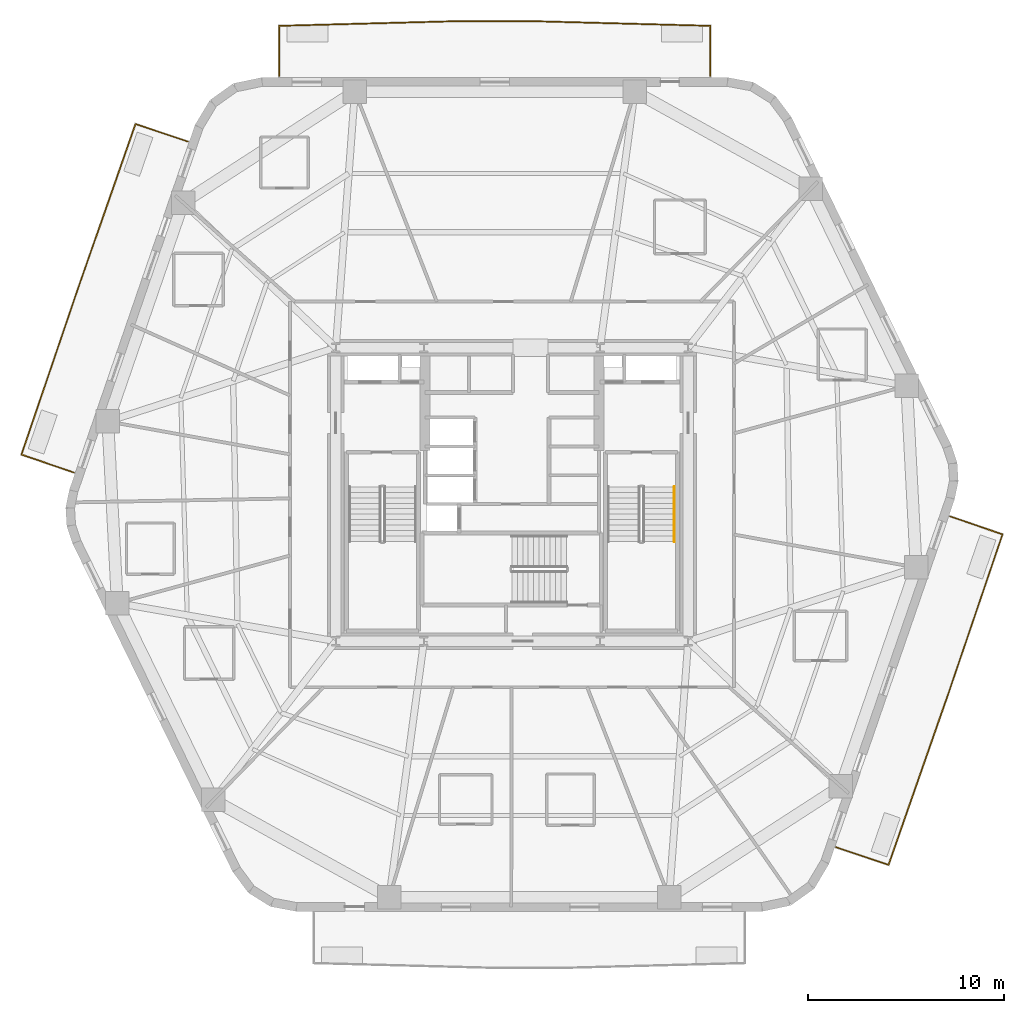
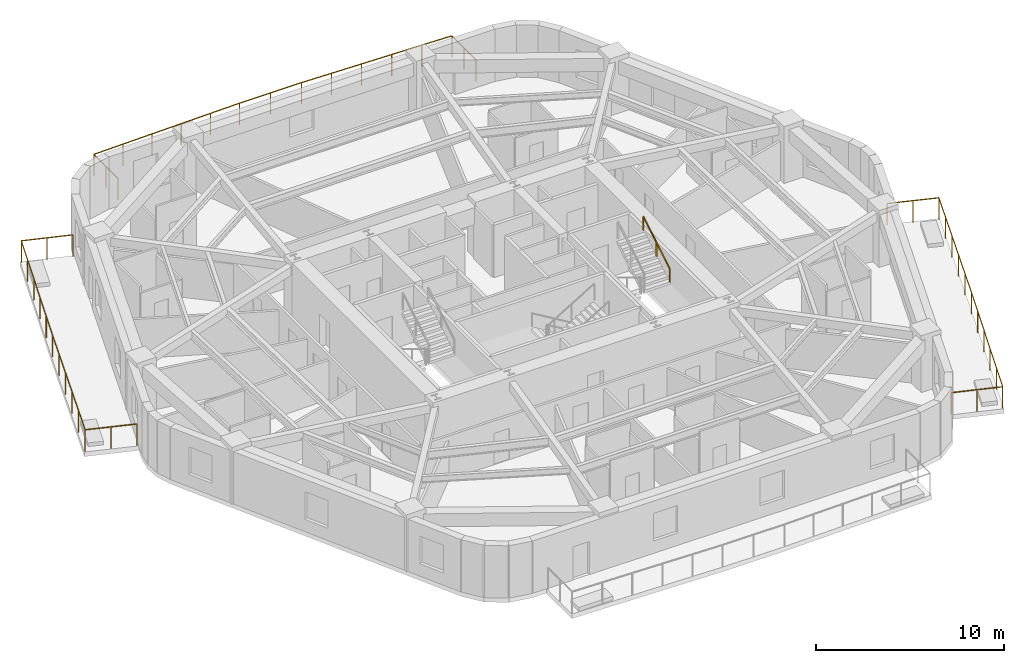
# One storey, part 8 of 8: 4 railings.
"""IFC4 building model written with IfcOpenShell, lengths in metres."""

from ifc_helpers import new_model, si_unit, direction, frame, origin, origin_2d, place, context, subcontext, project, spatial, rectangle, extrude, material, layer, layer_set, type_object, element, save


model = new_model("IFC4")

# Units and contexts
model_context = context("Model", 3, precision=1e-05, world=origin(), true_north=direction((0.0, 1.0)))
body_context = subcontext(model_context, "Body", "Model", "MODEL_VIEW")
ifc_project = project(units=[si_unit("LENGTHUNIT", "METRE"), si_unit("AREAUNIT", "SQUARE_METRE"), si_unit("VOLUMEUNIT", "CUBIC_METRE"), si_unit("PLANEANGLEUNIT", "RADIAN"), si_unit("MASSUNIT", "GRAM", prefix="KILO")], contexts=[model_context])

# Site, building, storey
site_placement = place(None, origin())
site = spatial("IfcSite", under=ifc_project, at=site_placement, CompositionType="ELEMENT")
building_placement = place(site_placement, origin())
building = spatial("IfcBuilding", under=site, at=building_placement, Name="Kilnhurst Terrace Hotel", CompositionType="ELEMENT")
storey_placement = place(building_placement, frame((0.0, 0.0, 106.199951171875)))
storey = spatial("IfcBuildingStorey", under=building, at=storey_placement, Name="L25", CompositionType="ELEMENT", Elevation=106.199951171875)

# Railings
ifc_material_1 = material(Name="Laminated SentryGlas and Stainless Steel AISI 316L Balustrade", Category="steel")
ifc_layer_1 = layer(ifc_material_1, 0.070068359375, Name="Laminated SentryGlas and Stainless Steel AISI 316L Balustrade")
ifc_layer_set_1 = layer_set([ifc_layer_1], Name="Laminated SentryGlas and Stainless Steel AISI 316L Balustrade")
railing_type_1 = type_object("IfcRailingType", Name="RLG-BAL-1420", PredefinedType="BALUSTRADE", material=ifc_layer_set_1)
railing_1_placement = place(storey_placement, frame((22.394287109375, -1.123779296875, 0.0)))
element("IfcRailing", 1, at=railing_1_placement, inside=storey, type_object=railing_type_1, Name="L25 Exterior Terrace Guardrail BAL-L1B.1", PredefinedType="BALUSTRADE", context=body_context, shape_type="SweptSolid", body=[
    extrude(rectangle(XDim=0.048095703125, YDim=0.048095703125, at=origin_2d()), frame((0.0, 0.0, 1.39599609375), z_axis=(0.945999088216, -0.324169284625, 0.0), x_axis=(0.324169284625, 0.945999088216, 0.0)), (0.0, 0.0, 1.0), 2.818115234375),
    extrude(rectangle(XDim=0.048095703125, YDim=0.048095703125, at=origin_2d()), frame((2.666015625, -0.91357421875, 1.39599609375), z_axis=(-0.322236749626, -0.946659113509, 0.0), x_axis=(0.946659113509, -0.322236749626, 0.0)), (0.0, 0.0, 1.0), 8.94921875),
    extrude(rectangle(XDim=0.048095703125, YDim=0.048095703125, at=origin_2d()), frame((-0.2177734375, -9.385498046875, 1.39599609375), z_axis=(-0.329867270016, -0.94402732173, 0.0), x_axis=(0.94402732173, -0.329867270016, 0.0)), (0.0, 0.0, 1.0), 8.9140625),
    extrude(rectangle(XDim=0.048095703125, YDim=0.048095703125, at=origin_2d()), frame((-3.158203125, -17.800537109375, 1.39599609375), z_axis=(-0.948125796951, 0.317895380834, 0.0), x_axis=(-0.317895380834, -0.948125796951, 0.0)), (0.0, 0.0, 1.0), 2.81005859375),
    extrude(rectangle(XDim=0.0419921875, YDim=0.0419921875, at=origin_2d()), origin(), (0.0, 0.0, 1.0), 1.371826171875),
    extrude(rectangle(XDim=0.0419921875, YDim=0.0419921875, at=origin_2d()), frame((1.3330078125, -0.456787109375, 0.0)), (0.0, 0.0, 1.0), 1.371826171875),
    extrude(rectangle(XDim=0.0419921875, YDim=0.0419921875, at=origin_2d()), frame((2.666015625, -0.91357421875, 0.0)), (0.0, 0.0, 1.0), 1.371826171875),
    extrude(rectangle(XDim=0.0419921875, YDim=0.0419921875, at=origin_2d()), frame((2.08935546875, -2.60791015625, 0.0)), (0.0, 0.0, 1.0), 1.371826171875),
    extrude(rectangle(XDim=0.0419921875, YDim=0.0419921875, at=origin_2d()), frame((1.512451171875, -4.30224609375, 0.0)), (0.0, 0.0, 1.0), 1.371826171875),
    extrude(rectangle(XDim=0.0419921875, YDim=0.0419921875, at=origin_2d()), frame((0.935791015625, -5.996826171875, 0.0)), (0.0, 0.0, 1.0), 1.371826171875),
    extrude(rectangle(XDim=0.0419921875, YDim=0.0419921875, at=origin_2d()), frame((0.35888671875, -7.691162109375, 0.0)), (0.0, 0.0, 1.0), 1.371826171875),
    extrude(rectangle(XDim=0.0419921875, YDim=0.0419921875, at=origin_2d()), frame((-0.2177734375, -9.385498046875, 0.0)), (0.0, 0.0, 1.0), 1.371826171875),
    extrude(rectangle(XDim=0.0419921875, YDim=0.0419921875, at=origin_2d()), frame((-0.805908203125, -11.068603515625, 0.0)), (0.0, 0.0, 1.0), 1.371826171875),
    extrude(rectangle(XDim=0.0419921875, YDim=0.0419921875, at=origin_2d()), frame((-1.39404296875, -12.75146484375, 0.0)), (0.0, 0.0, 1.0), 1.371826171875),
    extrude(rectangle(XDim=0.0419921875, YDim=0.0419921875, at=origin_2d()), frame((-1.98193359375, -14.4345703125, 0.0)), (0.0, 0.0, 1.0), 1.371826171875),
    extrude(rectangle(XDim=0.0419921875, YDim=0.0419921875, at=origin_2d()), frame((-2.570068359375, -16.117431640625, 0.0)), (0.0, 0.0, 1.0), 1.371826171875),
    extrude(rectangle(XDim=0.0419921875, YDim=0.0419921875, at=origin_2d()), frame((-3.158203125, -17.800537109375, 0.0)), (0.0, 0.0, 1.0), 1.371826171875),
    extrude(rectangle(XDim=0.0419921875, YDim=0.0419921875, at=origin_2d()), frame((-4.490234375, -17.35400390625, 0.0)), (0.0, 0.0, 1.0), 1.371826171875),
    extrude(rectangle(XDim=0.0419921875, YDim=0.0419921875, at=origin_2d()), frame((-5.822509765625, -16.9072265625, 0.0)), (0.0, 0.0, 1.0), 1.371826171875),
])
railing_2_placement = place(storey_placement, frame((-11.8837890625, 21.3798828125, 0.0)))
element("IfcRailing", 2, at=railing_2_placement, inside=storey, type_object=railing_type_1, Name="L25 Exterior Terrace Guardrail BAL-L2A.1", PredefinedType="BALUSTRADE", context=body_context, shape_type="SweptSolid", body=[
    extrude(rectangle(XDim=0.048095703125, YDim=0.048095703125, at=origin_2d()), frame((0.0, 0.0, 1.39599609375), z_axis=(0.0, 1.0, 0.0), x_axis=(-1.0, 0.0, 0.0)), (0.0, 0.0, 1.0), 2.561767578125),
    extrude(rectangle(XDim=0.048095703125, YDim=0.048095703125, at=origin_2d()), frame((0.0, 2.561767578125, 1.39599609375), z_axis=(0.999657105501, 0.026185328367, 0.0), x_axis=(-0.026185328367, 0.999657105501, 0.0)), (0.0, 0.0, 1.0), 9.099853515625),
    extrude(rectangle(XDim=0.048095703125, YDim=0.048095703125, at=origin_2d()), frame((9.0966796875, 2.800048828125, 1.39599609375), z_axis=(1.0, 0.0, 0.0), x_axis=(0.0, 1.0, 0.0)), (0.0, 0.0, 1.0), 3.8134765625),
    extrude(rectangle(XDim=0.048095703125, YDim=0.048095703125, at=origin_2d()), frame((12.91015625, 2.800048828125, 1.39599609375), z_axis=(0.999657105501, -0.026185328367, 0.0), x_axis=(0.026185328367, 0.999657105501, 0.0)), (0.0, 0.0, 1.0), 9.099853515625),
    extrude(rectangle(XDim=0.048095703125, YDim=0.048095703125, at=origin_2d()), frame((22.0068359375, 2.561767578125, 1.39599609375), z_axis=(0.0, -1.0, 0.0), x_axis=(1.0, 0.0, 0.0)), (0.0, 0.0, 1.0), 2.561767578125),
    extrude(rectangle(XDim=0.0419921875, YDim=0.0419921875, at=origin_2d()), origin(), (0.0, 0.0, 1.0), 1.371826171875),
    extrude(rectangle(XDim=0.0419921875, YDim=0.0419921875, at=origin_2d()), frame((0.0, 1.28076171875, 0.0)), (0.0, 0.0, 1.0), 1.371826171875),
    extrude(rectangle(XDim=0.0419921875, YDim=0.0419921875, at=origin_2d()), frame((0.0, 2.561767578125, 0.0)), (0.0, 0.0, 1.0), 1.371826171875),
    extrude(rectangle(XDim=0.0419921875, YDim=0.0419921875, at=origin_2d()), frame((1.8193359375, 2.609375, 0.0)), (0.0, 0.0, 1.0), 1.371826171875),
    extrude(rectangle(XDim=0.0419921875, YDim=0.0419921875, at=origin_2d()), frame((3.638671875, 2.656982421875, 0.0)), (0.0, 0.0, 1.0), 1.371826171875),
    extrude(rectangle(XDim=0.0419921875, YDim=0.0419921875, at=origin_2d()), frame((5.4580078125, 2.704833984375, 0.0)), (0.0, 0.0, 1.0), 1.371826171875),
    extrude(rectangle(XDim=0.0419921875, YDim=0.0419921875, at=origin_2d()), frame((7.27734375, 2.75244140625, 0.0)), (0.0, 0.0, 1.0), 1.371826171875),
    extrude(rectangle(XDim=0.0419921875, YDim=0.0419921875, at=origin_2d()), frame((9.0966796875, 2.800048828125, 0.0)), (0.0, 0.0, 1.0), 1.371826171875),
    extrude(rectangle(XDim=0.0419921875, YDim=0.0419921875, at=origin_2d()), frame((11.00341796875, 2.800048828125, 0.0)), (0.0, 0.0, 1.0), 1.371826171875),
    extrude(rectangle(XDim=0.0419921875, YDim=0.0419921875, at=origin_2d()), frame((12.91015625, 2.800048828125, 0.0)), (0.0, 0.0, 1.0), 1.371826171875),
    extrude(rectangle(XDim=0.0419921875, YDim=0.0419921875, at=origin_2d()), frame((14.7294921875, 2.75244140625, 0.0)), (0.0, 0.0, 1.0), 1.371826171875),
    extrude(rectangle(XDim=0.0419921875, YDim=0.0419921875, at=origin_2d()), frame((16.548828125, 2.704833984375, 0.0)), (0.0, 0.0, 1.0), 1.371826171875),
    extrude(rectangle(XDim=0.0419921875, YDim=0.0419921875, at=origin_2d()), frame((18.3681640625, 2.656982421875, 0.0)), (0.0, 0.0, 1.0), 1.371826171875),
    extrude(rectangle(XDim=0.0419921875, YDim=0.0419921875, at=origin_2d()), frame((20.1875, 2.609375, 0.0)), (0.0, 0.0, 1.0), 1.371826171875),
    extrude(rectangle(XDim=0.0419921875, YDim=0.0419921875, at=origin_2d()), frame((22.0068359375, 2.561767578125, 0.0)), (0.0, 0.0, 1.0), 1.371826171875),
    extrude(rectangle(XDim=0.0419921875, YDim=0.0419921875, at=origin_2d()), frame((22.0068359375, 1.28076171875, 0.0)), (0.0, 0.0, 1.0), 1.371826171875),
    extrude(rectangle(XDim=0.0419921875, YDim=0.0419921875, at=origin_2d()), frame((22.0068359375, 0.0, 0.0)), (0.0, 0.0, 1.0), 1.371826171875),
])
railing_3_placement = place(storey_placement, frame((-22.394287109375, 1.123779296875, 0.0)))
element("IfcRailing", 3, at=railing_3_placement, inside=storey, type_object=railing_type_1, Name="L25 Exterior Terrace Guardrail BAL-L2B.1", PredefinedType="BALUSTRADE", context=body_context, shape_type="SweptSolid", body=[
    extrude(rectangle(XDim=0.048095703125, YDim=0.048095703125, at=origin_2d()), frame((0.0, 0.0, 1.39599609375), z_axis=(-0.945999088216, 0.324169284625, 0.0), x_axis=(-0.324169284625, -0.945999088216, 0.0)), (0.0, 0.0, 1.0), 2.818115234375),
    extrude(rectangle(XDim=0.048095703125, YDim=0.048095703125, at=origin_2d()), frame((-2.666015625, 0.91357421875, 1.39599609375), z_axis=(0.322236749626, 0.946659113509, 0.0), x_axis=(-0.946659113509, 0.322236749626, 0.0)), (0.0, 0.0, 1.0), 8.94921875),
    extrude(rectangle(XDim=0.048095703125, YDim=0.048095703125, at=origin_2d()), frame((0.2177734375, 9.385498046875, 1.39599609375), z_axis=(0.329867270016, 0.94402732173, 0.0), x_axis=(-0.94402732173, 0.329867270016, 0.0)), (0.0, 0.0, 1.0), 8.9140625),
    extrude(rectangle(XDim=0.048095703125, YDim=0.048095703125, at=origin_2d()), frame((3.158203125, 17.800537109375, 1.39599609375), z_axis=(0.948125796951, -0.317895380834, 0.0), x_axis=(0.317895380834, 0.948125796951, 0.0)), (0.0, 0.0, 1.0), 2.81005859375),
    extrude(rectangle(XDim=0.0419921875, YDim=0.0419921875, at=origin_2d()), origin(), (0.0, 0.0, 1.0), 1.371826171875),
    extrude(rectangle(XDim=0.0419921875, YDim=0.0419921875, at=origin_2d()), frame((-1.3330078125, 0.456787109375, 0.0)), (0.0, 0.0, 1.0), 1.371826171875),
    extrude(rectangle(XDim=0.0419921875, YDim=0.0419921875, at=origin_2d()), frame((-2.666015625, 0.91357421875, 0.0)), (0.0, 0.0, 1.0), 1.371826171875),
    extrude(rectangle(XDim=0.0419921875, YDim=0.0419921875, at=origin_2d()), frame((-2.08935546875, 2.60791015625, 0.0)), (0.0, 0.0, 1.0), 1.371826171875),
    extrude(rectangle(XDim=0.0419921875, YDim=0.0419921875, at=origin_2d()), frame((-1.512451171875, 4.30224609375, 0.0)), (0.0, 0.0, 1.0), 1.371826171875),
    extrude(rectangle(XDim=0.0419921875, YDim=0.0419921875, at=origin_2d()), frame((-0.935791015625, 5.996826171875, 0.0)), (0.0, 0.0, 1.0), 1.371826171875),
    extrude(rectangle(XDim=0.0419921875, YDim=0.0419921875, at=origin_2d()), frame((-0.35888671875, 7.691162109375, 0.0)), (0.0, 0.0, 1.0), 1.371826171875),
    extrude(rectangle(XDim=0.0419921875, YDim=0.0419921875, at=origin_2d()), frame((0.2177734375, 9.385498046875, 0.0)), (0.0, 0.0, 1.0), 1.371826171875),
    extrude(rectangle(XDim=0.0419921875, YDim=0.0419921875, at=origin_2d()), frame((0.805908203125, 11.068603515625, 0.0)), (0.0, 0.0, 1.0), 1.371826171875),
    extrude(rectangle(XDim=0.0419921875, YDim=0.0419921875, at=origin_2d()), frame((1.39404296875, 12.75146484375, 0.0)), (0.0, 0.0, 1.0), 1.371826171875),
    extrude(rectangle(XDim=0.0419921875, YDim=0.0419921875, at=origin_2d()), frame((1.98193359375, 14.4345703125, 0.0)), (0.0, 0.0, 1.0), 1.371826171875),
    extrude(rectangle(XDim=0.0419921875, YDim=0.0419921875, at=origin_2d()), frame((2.570068359375, 16.117431640625, 0.0)), (0.0, 0.0, 1.0), 1.371826171875),
    extrude(rectangle(XDim=0.0419921875, YDim=0.0419921875, at=origin_2d()), frame((3.158203125, 17.800537109375, 0.0)), (0.0, 0.0, 1.0), 1.371826171875),
    extrude(rectangle(XDim=0.0419921875, YDim=0.0419921875, at=origin_2d()), frame((4.490234375, 17.35400390625, 0.0)), (0.0, 0.0, 1.0), 1.371826171875),
    extrude(rectangle(XDim=0.0419921875, YDim=0.0419921875, at=origin_2d()), frame((5.822509765625, 16.9072265625, 0.0)), (0.0, 0.0, 1.0), 1.371826171875),
])
ifc_material_2 = material(Name="Brushed Stainless Steel AISI 304", Category="steel")
ifc_layer_2 = layer(ifc_material_2, 0.048095703125, Name="Brushed Stainless Steel AISI 304")
ifc_layer_set_2 = layer_set([ifc_layer_2], Name="Brushed Stainless Steel AISI 304")
railing_type_2 = type_object("IfcRailingType", Name="RLG-ST-HRL-900", PredefinedType="HANDRAIL", material=ifc_layer_set_2)
railing_4_placement = place(storey_placement, frame((8.300048828125, -2.409912109375, 2.018310546875)))
element("IfcRailing", 4, at=railing_4_placement, inside=storey, type_object=railing_type_2, Name="L25 ST-2 stair handrail 2", PredefinedType="HANDRAIL", context=body_context, shape_type="SweptSolid", body=[
    extrude(rectangle(XDim=0.048095703125, YDim=0.048095703125, at=origin_2d()), frame((0.0, 0.0, 0.8759765625), z_axis=(0.0, 0.857255387014, 0.514891446264), x_axis=(-1.0, 0.0, 0.0)), (0.0, 0.0, 1.0), 3.26611328125),
    extrude(rectangle(XDim=0.0419921875, YDim=0.0419921875, at=origin_2d()), origin(), (0.0, 0.0, 1.0), 0.851806640625),
    extrude(rectangle(XDim=0.0419921875, YDim=0.0419921875, at=origin_2d()), frame((0.0, 1.39990234375, 0.8408203125)), (0.0, 0.0, 1.0), 0.851806640625),
    extrude(rectangle(XDim=0.0419921875, YDim=0.0419921875, at=origin_2d()), frame((0.0, 2.7998046875, 1.681640625)), (0.0, 0.0, 1.0), 0.851806640625),
])

save(model, "model.ifc")
